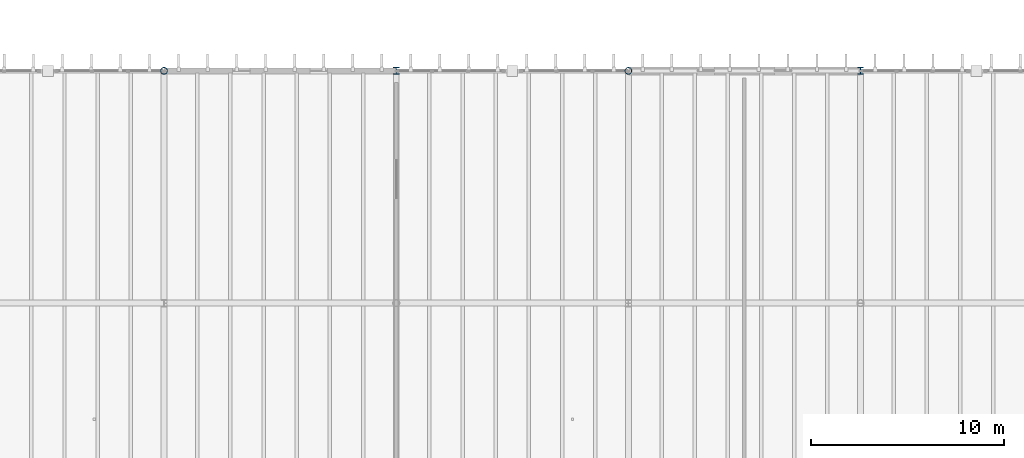
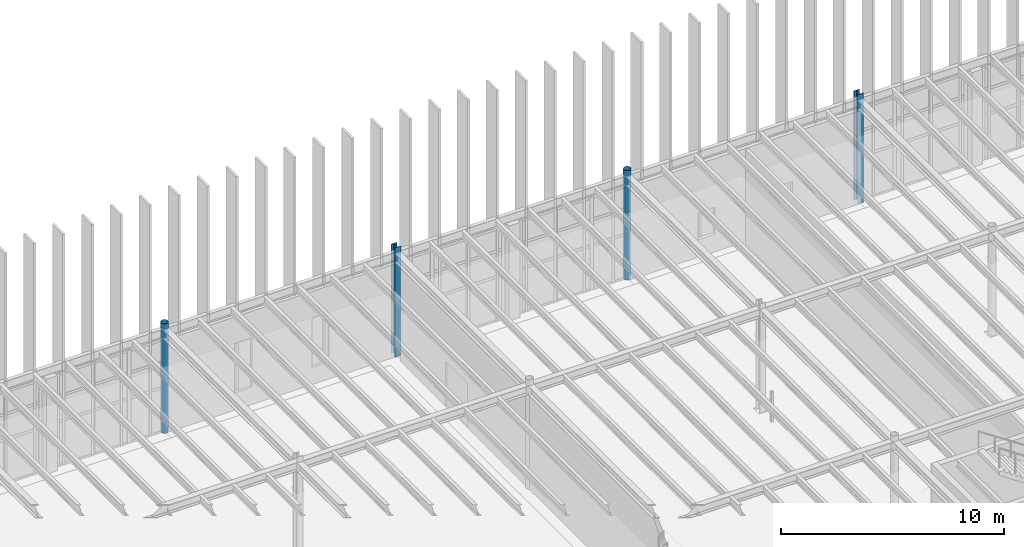
# One storey, part 9 of 83: 4 columns.
"""IFC4 building model written with IfcOpenShell, lengths in metres."""

from ifc_helpers import new_model, si_unit, direction, frame, origin, origin_2d, place, context, subcontext, project, spatial, hollow_circle, i_section, extrude, material, material_profile, profile_set, type_object, element, save


model = new_model("IFC4")

# Units and contexts
model_context = context("Model", 3, precision=1e-05, world=origin(), true_north=direction((0.0, 1.0)))
body_context = subcontext(model_context, "Body", "Model", "MODEL_VIEW")
ifc_project = project(units=[si_unit("LENGTHUNIT", "METRE"), si_unit("AREAUNIT", "SQUARE_METRE"), si_unit("VOLUMEUNIT", "CUBIC_METRE"), si_unit("PLANEANGLEUNIT", "RADIAN"), si_unit("MASSUNIT", "GRAM", prefix="KILO")], contexts=[model_context])

# Site, building, storey
site_placement = place(None, origin())
site = spatial("IfcSite", under=ifc_project, at=site_placement, CompositionType="ELEMENT")
building_placement = place(site_placement, origin())
building = spatial("IfcBuilding", under=site, at=building_placement, Name="Zlatogorsky Bluff Art Gallery", CompositionType="ELEMENT")
storey_placement = place(building_placement, frame((0.0, 0.0, 10.800048828125)))
storey = spatial("IfcBuildingStorey", under=building, at=storey_placement, Name="L02", CompositionType="ELEMENT", Elevation=10.800048828125)

# Columns
ifc_material = material(Name="Steel S355", Category="steel")
ifc_material_profile_1 = material_profile(ifc_material, i_section(OverallWidth=0.300048828125, OverallDepth=0.360107421875, WebThickness=0.012451171875, FlangeThickness=0.0224609375, FilletRadius=0.027099609375, at=origin_2d()), Name="HEB 360")
ifc_profile_set_1 = profile_set([ifc_material_profile_1], Name="Steel S355")
column_type_1 = type_object("IfcColumnType", Name="Column CL-05 HEB 360", PredefinedType="COLUMN", material=ifc_profile_set_1)
for number, where, z_axis, x_axis, name in (
    (1, (84.0, 120.0, 0.0), (0.0, 0.0, 1.0), (1.0, 0.0, 0.0), "Column CL-05 L02 H12"),
    (2, (108.0, 120.0, 0.0), (0.0, 0.0, 1.0), (1.0, 0.0, 0.0), "Column CL-05 L02 K12"),
):
    element("IfcColumn", number, at=place(storey_placement, frame(where, z_axis=z_axis, x_axis=x_axis)), inside=storey, type_object=column_type_1, Name=name, PredefinedType="COLUMN", context=body_context, shape_type="SweptSolid", body=[
        extrude(i_section(OverallWidth=0.300048828125, OverallDepth=0.360107421875, WebThickness=0.012451171875, FlangeThickness=0.0224609375, FilletRadius=0.027099609375, at=origin_2d()), origin(), (0.0, 0.0, 1.0), 6.0),
    ])
ifc_material_profile_2 = material_profile(ifc_material, hollow_circle(Radius=0.177734375, WallThickness=0.01611328125, at=origin_2d()), Name="CHS 355.6x16")
ifc_profile_set_2 = profile_set([ifc_material_profile_2], Name="Steel S355")
column_type_2 = type_object("IfcColumnType", Name="Column CL-10 CHS 355.6x16", PredefinedType="COLUMN", material=ifc_profile_set_2)
for number, where, z_axis, x_axis, name in (
    (3, (72.0, 120.0, 0.0), (0.0, 0.0, 1.0), (1.0, 0.0, 0.0), "Column CL-10 L02 G12"),
    (4, (96.0, 120.0, 0.0), (0.0, 0.0, 1.0), (1.0, 0.0, 0.0), "Column CL-10 L02 J12"),
):
    element("IfcColumn", number, at=place(storey_placement, frame(where, z_axis=z_axis, x_axis=x_axis)), inside=storey, type_object=column_type_2, Name=name, PredefinedType="COLUMN", context=body_context, shape_type="SweptSolid", body=[
        extrude(hollow_circle(Radius=0.177734375, WallThickness=0.01611328125, at=origin_2d()), origin(), (0.0, 0.0, 1.0), 6.0),
    ])

save(model, "model.ifc")
